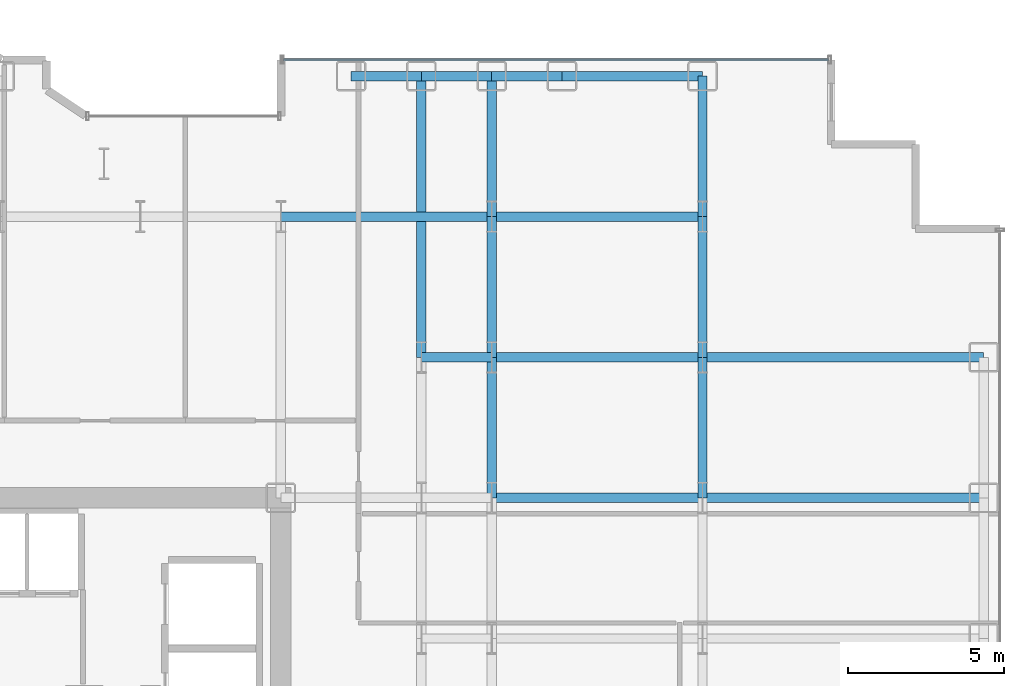
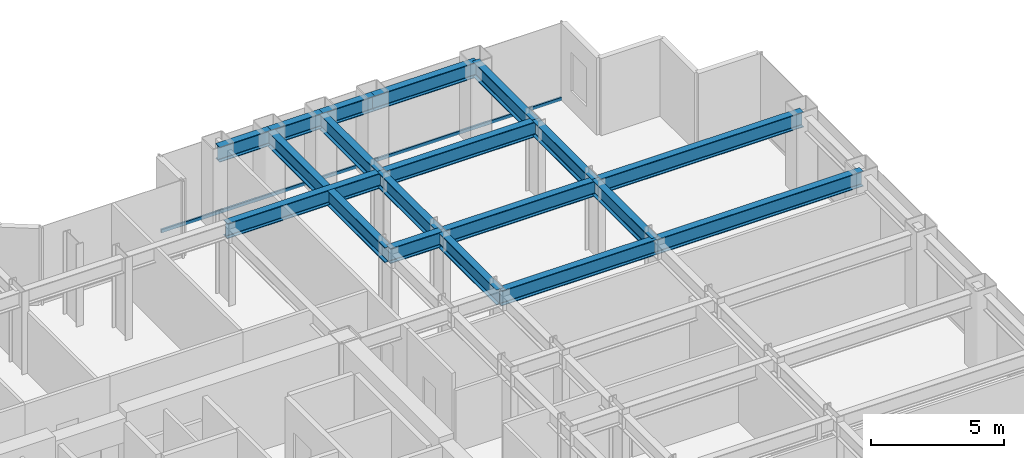
# One storey, part 13 of 26: 18 beams, 1 member, 1 element without a shape of its own.
"""IFC4 building model written with IfcOpenShell, lengths in metres."""

from ifc_helpers import new_model, si_unit, direction, frame, origin, origin_2d, place, context, subcontext, project, spatial, hollow_rectangle, i_section, extrude, source, transform, mapped, material, layer, layer_set, material_profile, profile_set, type_object, element, aggregate, save


model = new_model("IFC4")

# Units and contexts
model_context = context("Model", 3, precision=1e-05, world=origin(), true_north=direction((0.0, 1.0)))
body_context = subcontext(model_context, "Body", "Model", "MODEL_VIEW")
ifc_project = project(units=[si_unit("LENGTHUNIT", "METRE"), si_unit("AREAUNIT", "SQUARE_METRE"), si_unit("VOLUMEUNIT", "CUBIC_METRE"), si_unit("PLANEANGLEUNIT", "RADIAN"), si_unit("MASSUNIT", "GRAM", prefix="KILO")], contexts=[model_context])

# Site, building, storey
site_placement = place(None, origin())
site = spatial("IfcSite", under=ifc_project, at=site_placement, CompositionType="ELEMENT")
building_placement = place(site_placement, origin())
building = spatial("IfcBuilding", under=site, at=building_placement, Name="Nefas-Gora Pilgrimage Tower", CompositionType="ELEMENT")
storey_placement = place(building_placement, frame((0.0, 0.0, 36.800048828125)))
storey = spatial("IfcBuildingStorey", under=building, at=storey_placement, Name="L07", CompositionType="ELEMENT", Elevation=36.800048828125)

# Beams
ifc_material_1 = material(Name="Steel S355", Category="steel")
ifc_material_profile_1 = material_profile(ifc_material_1, i_section(OverallWidth=0.300048828125, OverallDepth=0.699951171875, WebThickness=0.01708984375, FlangeThickness=0.031982421875, FilletRadius=0.027099609375, at=origin_2d()), Name="HEB 700")
ifc_profile_set_1 = profile_set([ifc_material_profile_1], Name="Steel S355")
beam_type_1 = type_object("IfcBeamType", Name="BM-SPN-HEB600", PredefinedType="SPANDREL", material=ifc_profile_set_1)
shared_shape_1 = source(origin(), body_context, "Body", "SweptSolid", [
    extrude(i_section(OverallWidth=0.300048828125, OverallDepth=0.699951171875, WebThickness=0.01708984375, FlangeThickness=0.031982421875, FilletRadius=0.027099609375, at=origin_2d()), origin(), (0.0, 0.0, 1.0), 4.5),
])
beam_1_placement = place(storey_placement, frame((20.25, 22.5, 3.199951171875), z_axis=(1.0, 0.0, 0.0), x_axis=(0.0, 1.0, 0.0)))
element("IfcBeam", 1, at=beam_1_placement, inside=storey, type_object=beam_type_1, Name="L07 SP-01 beam", PredefinedType="SPANDREL", context=body_context, shape_type="MappedRepresentation", body=[
    mapped(shared_shape_1, transform((0.0, 0.0, 0.0), x_axis=(1.0, 0.0, 0.0), y_axis=(0.0, 1.0, 0.0), z_axis=(0.0, 0.0, 1.0), scale=1.0)),
])
ifc_material_profile_2 = material_profile(ifc_material_1, i_section(OverallWidth=0.300048828125, OverallDepth=0.699951171875, WebThickness=0.01708984375, FlangeThickness=0.031982421875, FilletRadius=0.027099609375, at=origin_2d()), Name="HEB 700")
ifc_profile_set_2 = profile_set([ifc_material_profile_2], Name="Steel S355")
beam_type_2 = type_object("IfcBeamType", Name="BM-GIR-HEB700", PredefinedType="BEAM", material=ifc_profile_set_2)
shared_shape_2 = source(origin(), body_context, "Body", "SweptSolid", [
    extrude(i_section(OverallWidth=0.300048828125, OverallDepth=0.699951171875, WebThickness=0.01708984375, FlangeThickness=0.031982421875, FilletRadius=0.027099609375, at=origin_2d()), origin(), (0.0, 0.0, 1.0), 9.0),
])
for number, where, z_axis, x_axis, name in (
    (2, (15.75, 13.5, 3.199951171875), (0.0, 1.0, 0.0), (-1.0, 0.0, 0.0), "L07 G-02 beam"),
    (3, (24.75, 9.0, 3.199951171875), (1.0, 0.0, 0.0), (0.0, 1.0, 0.0), "L07 G-02 beam"),
    (4, (24.75, 13.5, 3.199951171875), (1.0, 0.0, 0.0), (0.0, 1.0, 0.0), "L07 G-02 beam"),
):
    element("IfcBeam", number, at=place(storey_placement, frame(where, z_axis=z_axis, x_axis=x_axis)), inside=storey, type_object=beam_type_2, Name=name, PredefinedType="BEAM", context=body_context, shape_type="MappedRepresentation", body=[
        mapped(shared_shape_2, transform((0.0, 0.0, 0.0), x_axis=(1.0, 0.0, 0.0), y_axis=(0.0, 1.0, 0.0), z_axis=(0.0, 0.0, 1.0), scale=1.0)),
    ])
shared_shape_3 = source(origin(), body_context, "Body", "SweptSolid", [
    extrude(i_section(OverallWidth=0.300048828125, OverallDepth=0.699951171875, WebThickness=0.01708984375, FlangeThickness=0.031982421875, FilletRadius=0.027099609375, at=origin_2d()), origin(), (0.0, 0.0, 1.0), 4.5),
])
for number, where, z_axis, x_axis, name in (
    (5, (18.0, 9.0, 3.199951171875), (0.0, 1.0, 0.0), (-1.0, 0.0, 0.0), "L07 G-02 beam"),
    (6, (18.0, 13.5, 3.199951171875), (0.0, 1.0, 0.0), (-1.0, 0.0, 0.0), "L07 G-02 beam"),
    (7, (18.0, 18.0, 3.199951171875), (0.0, 1.0, 0.0), (-1.0, 0.0, 0.0), "L07 G-02 beam"),
    (8, (24.75, 9.0, 3.199951171875), (0.0, 1.0, 0.0), (-1.0, 0.0, 0.0), "L07 G-02 beam"),
    (9, (24.75, 13.5, 3.199951171875), (0.0, 1.0, 0.0), (-1.0, 0.0, 0.0), "L07 G-02 beam"),
    (10, (24.75, 18.0, 3.199951171875), (0.0, 1.0, 0.0), (-1.0, 0.0, 0.0), "L07 G-02 beam"),
):
    element("IfcBeam", number, at=place(storey_placement, frame(where, z_axis=z_axis, x_axis=x_axis)), inside=storey, type_object=beam_type_2, Name=name, PredefinedType="BEAM", context=body_context, shape_type="MappedRepresentation", body=[
        mapped(shared_shape_3, transform((0.0, 0.0, 0.0), x_axis=(1.0, 0.0, 0.0), y_axis=(0.0, 1.0, 0.0), z_axis=(0.0, 0.0, 1.0), scale=1.0)),
    ])
shared_shape_4 = source(origin(), body_context, "Body", "SweptSolid", [
    extrude(i_section(OverallWidth=0.300048828125, OverallDepth=0.699951171875, WebThickness=0.01708984375, FlangeThickness=0.031982421875, FilletRadius=0.027099609375, at=origin_2d()), origin(), (0.0, 0.0, 1.0), 6.75),
])
for number, where, z_axis, x_axis, name in (
    (11, (11.25, 18.0, 3.199951171875), (1.0, 0.0, 0.0), (0.0, 1.0, 0.0), "L07 G-02 beam"),
    (12, (18.0, 9.0, 3.199951171875), (1.0, 0.0, 0.0), (0.0, 1.0, 0.0), "L07 G-02 beam"),
    (13, (18.0, 13.5, 3.199951171875), (1.0, 0.0, 0.0), (0.0, 1.0, 0.0), "L07 G-02 beam"),
    (14, (18.0, 18.0, 3.199951171875), (1.0, 0.0, 0.0), (0.0, 1.0, 0.0), "L07 G-02 beam"),
):
    element("IfcBeam", number, at=place(storey_placement, frame(where, z_axis=z_axis, x_axis=x_axis)), inside=storey, type_object=beam_type_2, Name=name, PredefinedType="BEAM", context=body_context, shape_type="MappedRepresentation", body=[
        mapped(shared_shape_4, transform((0.0, 0.0, 0.0), x_axis=(1.0, 0.0, 0.0), y_axis=(0.0, 1.0, 0.0), z_axis=(0.0, 0.0, 1.0), scale=1.0)),
    ])
shared_shape_5 = source(origin(), body_context, "Body", "SweptSolid", [
    extrude(i_section(OverallWidth=0.300048828125, OverallDepth=0.699951171875, WebThickness=0.01708984375, FlangeThickness=0.031982421875, FilletRadius=0.027099609375, at=origin_2d()), origin(), (0.0, 0.0, 1.0), 2.25),
])
for number, where, z_axis, x_axis, name in (
    (15, (13.5, 22.5, 3.199951171875), (1.0, 0.0, 0.0), (0.0, 1.0, 0.0), "L07 SP-01 beam"),
    (16, (15.75, 22.5, 3.199951171875), (1.0, 0.0, 0.0), (0.0, 1.0, 0.0), "L07 SP-01 beam"),
    (17, (18.0, 22.5, 3.199951171875), (1.0, 0.0, 0.0), (0.0, 1.0, 0.0), "L07 SP-01 beam"),
):
    element("IfcBeam", number, at=place(storey_placement, frame(where, z_axis=z_axis, x_axis=x_axis)), inside=storey, type_object=beam_type_1, Name=name, PredefinedType="SPANDREL", context=body_context, shape_type="MappedRepresentation", body=[
        mapped(shared_shape_5, transform((0.0, 0.0, 0.0), x_axis=(1.0, 0.0, 0.0), y_axis=(0.0, 1.0, 0.0), z_axis=(0.0, 0.0, 1.0), scale=1.0)),
    ])
shared_shape_6 = source(origin(), body_context, "Body", "SweptSolid", [
    extrude(i_section(OverallWidth=0.300048828125, OverallDepth=0.699951171875, WebThickness=0.01708984375, FlangeThickness=0.031982421875, FilletRadius=0.027099609375, at=origin_2d()), origin(), (0.0, 0.0, 1.0), 2.25),
])
beam_2_placement = place(storey_placement, frame((15.75, 13.5, 3.199951171875), z_axis=(1.0, 0.0, 0.0), x_axis=(0.0, 1.0, 0.0)))
element("IfcBeam", 18, at=beam_2_placement, inside=storey, type_object=beam_type_2, Name="L07 G-02 beam", PredefinedType="BEAM", context=body_context, shape_type="MappedRepresentation", body=[
    mapped(shared_shape_6, transform((0.0, 0.0, 0.0), x_axis=(1.0, 0.0, 0.0), y_axis=(0.0, 1.0, 0.0), z_axis=(0.0, 0.0, 1.0), scale=1.0)),
])

# Curtain wall, member
ifc_material_2 = material(Name="Dark ceramic-fritted solar-control aluminium-glass curtain wall", Category="aluminium")
ifc_layer = layer(ifc_material_2, 0.219970703125)
ifc_layer_set = layer_set([ifc_layer], Name="Dark ceramic-fritted solar-control aluminium-glass curtain wall")
curtain_wall_type = type_object("IfcCurtainWallType", Name="CW-SYS-2", PredefinedType="NOTDEFINED", material=ifc_layer_set)
curtain_wall_placement = place(storey_placement, origin())
curtain_wall = element("IfcCurtainWall", 19, at=curtain_wall_placement, inside=storey, type_object=curtain_wall_type, Name="L07 Unitised Curtain Wall CW2", PredefinedType="NOTDEFINED")
ifc_material_3 = material(Name="Anodised architectural aluminium", Category="aluminium")
ifc_material_profile_3 = material_profile(ifc_material_3, hollow_rectangle(XDim=0.080078125, YDim=0.159912109375, WallThickness=0.00439453125, InnerFilletRadius=0.00439453125, OuterFilletRadius=0.009033203125, at=origin_2d()), Name="ALU TRANSOM 80x160")
ifc_profile_set_3 = profile_set([ifc_material_profile_3], Name="Anodised architectural aluminium")
member_type = type_object("IfcMemberType", Name="CWM-TRN-2", PredefinedType="USERDEFINED", material=ifc_profile_set_3)
shared_shape_7 = source(origin(), body_context, "Body", "SweptSolid", [
    extrude(hollow_rectangle(XDim=0.080078125, YDim=0.159912109375, WallThickness=0.00439453125, InnerFilletRadius=0.00439453125, OuterFilletRadius=0.009033203125, at=origin_2d()), origin(), (0.0, 0.0, 1.0), 17.43994140625),
])
member_placement = place(storey_placement, frame((28.780029296875, 23.02001953125, 0.050048828125), z_axis=(-1.0, 0.0, 0.0), x_axis=(0.0, -1.0, 0.0)))
member = element("IfcMember", 20, at=member_placement, type_object=member_type, Name="CW2 Spandrel Transom", ObjectType="TRANSOM", PredefinedType="USERDEFINED", context=body_context, shape_type="MappedRepresentation", body=[
    mapped(shared_shape_7, transform((0.0, 0.0, 0.0), x_axis=(1.0, 0.0, 0.0), y_axis=(0.0, 1.0, 0.0), z_axis=(0.0, 0.0, 1.0), scale=1.0)),
])
aggregate(curtain_wall, [member])

save(model, "model.ifc")
